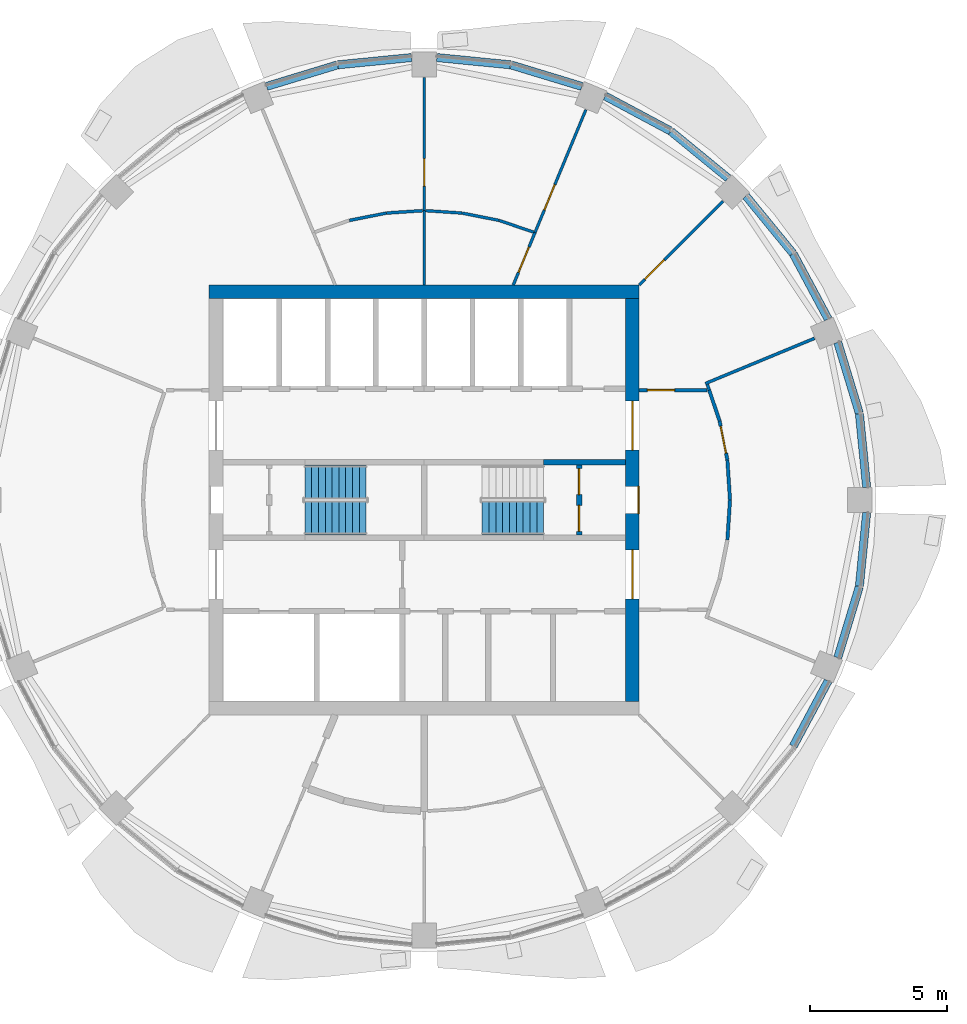
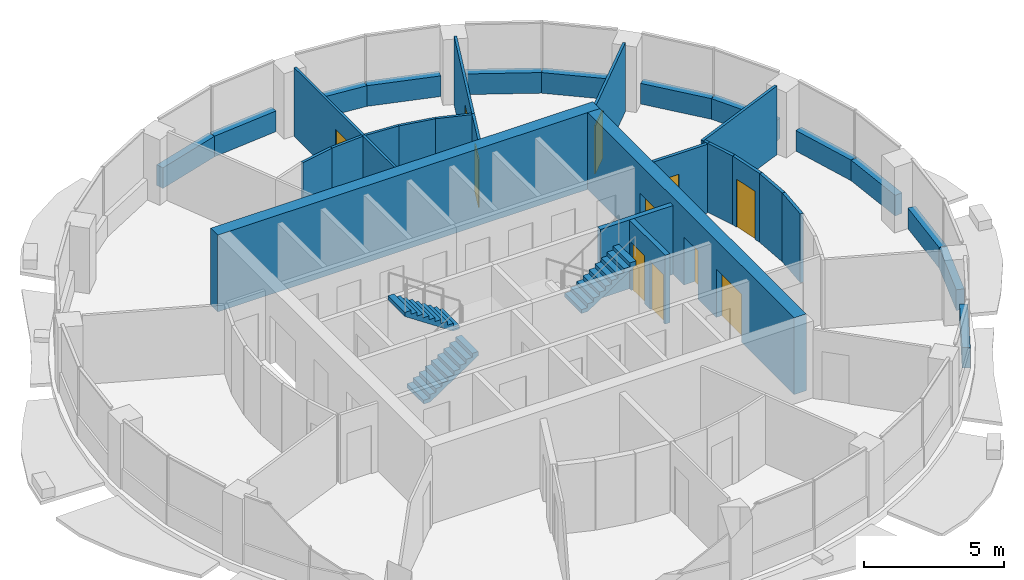
# One storey, part 10 of 15: 34 walls, 11 doors, 3 stair flights, 11 openings, 2 elements without a shape of their own.
"""IFC4 building model written with IfcOpenShell, lengths in metres."""

from ifc_helpers import new_model, si_unit, direction, frame, frame_2d, origin, place, context, subcontext, project, spatial, polyline, rectangle, outline, extrude, material, layer, layer_set, type_object, element, fill, aggregate, save


model = new_model("IFC4")

# Units and contexts
model_context = context("Model", 3, precision=1e-05, world=origin(), true_north=direction((0.0, 1.0)))
body_context = subcontext(model_context, "Body", "Model", "MODEL_VIEW")
ifc_project = project(units=[si_unit("LENGTHUNIT", "METRE"), si_unit("AREAUNIT", "SQUARE_METRE"), si_unit("VOLUMEUNIT", "CUBIC_METRE"), si_unit("PLANEANGLEUNIT", "RADIAN"), si_unit("MASSUNIT", "GRAM", prefix="KILO")], contexts=[model_context])

# Site, building, storey
site_placement = place(None, origin())
site = spatial("IfcSite", under=ifc_project, at=site_placement, CompositionType="ELEMENT")
building_placement = place(site_placement, origin())
building = spatial("IfcBuilding", under=site, at=building_placement, Name="Polderwave Tower", CompositionType="ELEMENT")
storey_placement = place(building_placement, frame((0.0, 0.0, 211.10009765625)))
storey = spatial("IfcBuildingStorey", under=building, at=storey_placement, Name="L57", CompositionType="ELEMENT", Elevation=211.10009765625)

# Wall
ifc_material_1 = material(Name="Concrete C60/75", Category="concrete")
ifc_layer_1 = layer(ifc_material_1, 0.5)
ifc_layer_set_1 = layer_set([ifc_layer_1], Name="CORE WALL 500 C60/75")
wall_type_1 = type_object("IfcWallType", Name="CORE WALL 500 C60/75", PredefinedType="SHEAR", material=ifc_layer_set_1)
wall_1_placement = place(storey_placement, frame((-7.8740234375, 7.6240234375, 0.0), z_axis=(0.0, 0.0, 1.0), x_axis=(1.0, 0.0, 0.0)))
element("IfcWall", 1, at=wall_1_placement, inside=storey, type_object=wall_type_1, Name="ST-CORE-L57-N", PredefinedType="SHEAR", context=body_context, shape_type="SweptSolid", body=[
    extrude(rectangle(XDim=15.748046875, YDim=0.5, at=frame_2d((7.8740234375, 0.0))), origin(), (0.0, 0.0, 1.0), 3.349853515625),
])

# Wall, openings, doors
wall_2_placement = place(storey_placement, frame((7.6240234375, -7.3740234375, 0.0), z_axis=(0.0, 0.0, 1.0), x_axis=(0.0, 1.0, 0.0)))
wall_2 = element("IfcWall", 2, at=wall_2_placement, inside=storey, type_object=wall_type_1, Name="ST-CORE-L57-E", PredefinedType="SHEAR", context=body_context, shape_type="SweptSolid", body=[
    extrude(rectangle(XDim=14.748046875, YDim=0.5, at=frame_2d((7.3740234375, 0.0))), origin(), (0.0, 0.0, 1.0), 3.349853515625),
])
opening_1_placement = place(wall_2_placement, frame((6.8740234375, 0.0, 0.0)))
opening_1 = element("IfcOpeningElement", 3, at=opening_1_placement, cuts=wall_2, Name="Opening L57-D23", PredefinedType="OPENING", context=body_context, shape_type="SweptSolid", body=[
    extrude(rectangle(XDim=1.0, YDim=2.10009765625, at=frame_2d((0.5, 1.050048828125))), frame((0.0, 0.260009765625, 0.0), z_axis=(0.0, -1.0, 0.0), x_axis=(1.0, 0.0, 0.0)), (0.0, 0.0, 1.0), 0.52001953125),
])
opening_2_placement = place(wall_2_placement, frame((3.74951171875, 0.0, 0.0)))
opening_2 = element("IfcOpeningElement", 4, at=opening_2_placement, cuts=wall_2, Name="Opening L57-D24", PredefinedType="OPENING", context=body_context, shape_type="SweptSolid", body=[
    extrude(rectangle(XDim=1.800048828125, YDim=2.10009765625, at=frame_2d((0.89990234375, 1.050048828125))), frame((0.0, 0.260009765625, 0.0), z_axis=(0.0, -1.0, 0.0), x_axis=(1.0, 0.0, 0.0)), (0.0, 0.0, 1.0), 0.52001953125),
])
opening_3_placement = place(wall_2_placement, frame((9.198486328125, 0.0, 0.0)))
opening_3 = element("IfcOpeningElement", 5, at=opening_3_placement, cuts=wall_2, Name="Opening L57-D25", PredefinedType="OPENING", context=body_context, shape_type="SweptSolid", body=[
    extrude(rectangle(XDim=1.800048828125, YDim=2.10009765625, at=frame_2d((0.89990234375, 1.050048828125))), frame((0.0, 0.260009765625, 0.0), z_axis=(0.0, -1.0, 0.0), x_axis=(1.0, 0.0, 0.0)), (0.0, 0.0, 1.0), 0.52001953125),
])
ifc_material_2 = material(Name="Steel fire door", Category="steel")
door_type_1 = type_object("IfcDoorType", Name="Lobby entry door pair 1800", OperationType="DOUBLE_DOOR_SINGLE_SWING", PredefinedType="DOOR", material=ifc_material_2)
door_1_placement = place(opening_2_placement, frame((1.800048828125, 0.0, 0.0), z_axis=(0.0, 0.0, 1.0), x_axis=(-1.0, 0.0, 0.0)))
door_1 = element("IfcDoor", 6, at=door_1_placement, inside=storey, type_object=door_type_1, Name="South lobby entry door", OperationType="DOUBLE_DOOR_SINGLE_SWING", OverallHeight=2.10009765625, OverallWidth=1.800048828125, PredefinedType="DOOR", context=body_context, shape_type="SweptSolid", body=[
    extrude(rectangle(XDim=1.800048828125, YDim=2.10009765625, at=frame_2d((0.89990234375, 1.050048828125))), frame((0.0, 0.02490234375, 0.0), z_axis=(0.0, -1.0, 0.0), x_axis=(1.0, 0.0, 0.0)), (0.0, 0.0, 1.0), 0.050048828125),
])
fill(opening_2, door_1)
door_2_placement = place(opening_3_placement, frame((1.800048828125, 0.0, 0.0), z_axis=(0.0, 0.0, 1.0), x_axis=(-1.0, 0.0, 0.0)))
door_2 = element("IfcDoor", 7, at=door_2_placement, inside=storey, type_object=door_type_1, Name="North lobby entry door", OperationType="DOUBLE_DOOR_SINGLE_SWING", OverallHeight=2.10009765625, OverallWidth=1.800048828125, PredefinedType="DOOR", context=body_context, shape_type="SweptSolid", body=[
    extrude(rectangle(XDim=1.800048828125, YDim=2.10009765625, at=frame_2d((0.89990234375, 1.050048828125))), frame((0.0, 0.02490234375, 0.0), z_axis=(0.0, -1.0, 0.0), x_axis=(1.0, 0.0, 0.0)), (0.0, 0.0, 1.0), 0.050048828125),
])
fill(opening_3, door_2)
door_type_2 = type_object("IfcDoorType", Name="Stair door 1000", OperationType="NOTDEFINED", PredefinedType="DOOR", material=ifc_material_2)
door_3_placement = place(opening_1_placement, frame((1.0, 0.0, 0.0), z_axis=(0.0, 0.0, 1.0), x_axis=(-1.0, 0.0, 0.0)))
door_3 = element("IfcDoor", 8, at=door_3_placement, inside=storey, type_object=door_type_2, Name="Stair B entry door", OperationType="SINGLE_SWING_LEFT", OverallHeight=2.10009765625, OverallWidth=1.0, PredefinedType="DOOR", context=body_context, shape_type="SweptSolid", body=[
    extrude(rectangle(XDim=1.0, YDim=2.10009765625, at=frame_2d((0.5, 1.050048828125))), frame((0.0, 0.25, 0.0), z_axis=(0.0, -1.0, 0.0), x_axis=(1.0, 0.0, 0.0)), (0.0, 0.0, 1.0), 0.050048828125),
])
fill(opening_1, door_3)

# Walls
ifc_material_3 = material(Name="Concrete C50/60 (board-marked)", Category="concrete")
ifc_layer_2 = layer(ifc_material_3, 0.300048828125)
ifc_layer_set_2 = layer_set([ifc_layer_2], Name="Concrete spandrel upstand C50/60")
wall_type_2 = type_object("IfcWallType", Name="Concrete spandrel upstand C50/60", PredefinedType="SOLIDWALL", material=ifc_layer_set_2)
wall_3_placement = place(storey_placement, frame((16.20458984375, 0.4638671875, 0.0), z_axis=(0.0, 0.0, 1.0), x_axis=(-0.098046581117, 0.995181826568, 0.0)))
element("IfcWall", 9, at=wall_3_placement, inside=storey, type_object=wall_type_2, Name="Spandrel L57 1a", PredefinedType="SOLIDWALL", context=body_context, shape_type="SweptSolid", body=[
    extrude(rectangle(XDim=2.7041015625, YDim=0.300048828125, at=frame_2d((1.35205078125, 0.0))), origin(), (0.0, 0.0, 1.0), 0.89990234375),
])
wall_4_placement = place(storey_placement, frame((15.93359375, 3.184326171875, 0.0), z_axis=(0.0, 0.0, 1.0), x_axis=(-0.290608505958, 0.956842043529, 0.0)))
element("IfcWall", 10, at=wall_4_placement, inside=storey, type_object=wall_type_2, Name="Spandrel L57 1b", PredefinedType="SOLIDWALL", context=body_context, shape_type="SweptSolid", body=[
    extrude(rectangle(XDim=2.705078125, YDim=0.300048828125, at=frame_2d((1.3525390625, 0.0))), origin(), (0.0, 0.0, 1.0), 0.89990234375),
])
for number, where, z_axis, x_axis, name in (
    (11, (14.79296875, 6.630126953125, 0.0), (0.0, 0.0, 1.0), (-0.471459599189, 0.881887660835, 0.0), "Spandrel L57 2a"),
    (12, (13.50146484375, 9.03955078125, 0.0), (0.0, 0.0, 1.0), (-0.634161642253, 0.773200498897, 0.0), "Spandrel L57 2b"),
    (13, (11.13037109375, 11.78662109375, 0.0), (0.0, 0.0, 1.0), (-0.773200498897, 0.634161642253, 0.0), "Spandrel L57 3a"),
    (14, (9.014892578125, 13.51806640625, 0.0), (0.0, 0.0, 1.0), (-0.881887660835, 0.471459599189, 0.0), "Spandrel L57 3b"),
):
    element("IfcWall", number, at=place(storey_placement, frame(where, z_axis=z_axis, x_axis=x_axis)), inside=storey, type_object=wall_type_2, Name=name, PredefinedType="SOLIDWALL", context=body_context, shape_type="SweptSolid", body=[
        extrude(rectangle(XDim=2.7041015625, YDim=0.300048828125, at=frame_2d((1.35205078125, 0.0))), origin(), (0.0, 0.0, 1.0), 0.89990234375),
    ])
wall_5_placement = place(storey_placement, frame((5.772705078125, 15.1474609375, 0.0), z_axis=(0.0, 0.0, 1.0), x_axis=(-0.956842043529, 0.290608505958, 0.0)))
element("IfcWall", 15, at=wall_5_placement, inside=storey, type_object=wall_type_2, Name="Spandrel L57 4a", PredefinedType="SOLIDWALL", context=body_context, shape_type="SweptSolid", body=[
    extrude(rectangle(XDim=2.705078125, YDim=0.300048828125, at=frame_2d((1.3525390625, 0.0))), origin(), (0.0, 0.0, 1.0), 0.89990234375),
])
for number, where, z_axis, x_axis, name in (
    (16, (3.155029296875, 15.939453125, 0.0), (0.0, 0.0, 1.0), (-0.995181826568, 0.098046581117, 0.0), "Spandrel L57 4b"),
    (17, (-0.4638671875, 16.20458984375, 0.0), (0.0, 0.0, 1.0), (-0.995181826568, -0.098046581117, 0.0), "Spandrel L57 5a"),
):
    element("IfcWall", number, at=place(storey_placement, frame(where, z_axis=z_axis, x_axis=x_axis)), inside=storey, type_object=wall_type_2, Name=name, PredefinedType="SOLIDWALL", context=body_context, shape_type="SweptSolid", body=[
        extrude(rectangle(XDim=2.7041015625, YDim=0.300048828125, at=frame_2d((1.35205078125, 0.0))), origin(), (0.0, 0.0, 1.0), 0.89990234375),
    ])
wall_6_placement = place(storey_placement, frame((-3.184326171875, 15.93359375, 0.0), z_axis=(0.0, 0.0, 1.0), x_axis=(-0.956842043529, -0.290608505958, 0.0)))
element("IfcWall", 18, at=wall_6_placement, inside=storey, type_object=wall_type_2, Name="Spandrel L57 5b", PredefinedType="SOLIDWALL", context=body_context, shape_type="SweptSolid", body=[
    extrude(rectangle(XDim=2.705078125, YDim=0.300048828125, at=frame_2d((1.3525390625, 0.0))), origin(), (0.0, 0.0, 1.0), 0.89990234375),
])
wall_7_placement = place(storey_placement, frame((13.51806640625, -9.014892578125, 0.0), z_axis=(0.0, 0.0, 1.0), x_axis=(0.471459599189, 0.881887660835, 0.0)))
element("IfcWall", 19, at=wall_7_placement, inside=storey, type_object=wall_type_2, Name="Spandrel L57 15b", PredefinedType="SOLIDWALL", context=body_context, shape_type="SweptSolid", body=[
    extrude(rectangle(XDim=2.7041015625, YDim=0.300048828125, at=frame_2d((1.35205078125, 0.0))), origin(), (0.0, 0.0, 1.0), 0.89990234375),
])
wall_8_placement = place(storey_placement, frame((15.1474609375, -5.772705078125, 0.0), z_axis=(0.0, 0.0, 1.0), x_axis=(0.290608505958, 0.956842043529, 0.0)))
element("IfcWall", 20, at=wall_8_placement, inside=storey, type_object=wall_type_2, Name="Spandrel L57 16a", PredefinedType="SOLIDWALL", context=body_context, shape_type="SweptSolid", body=[
    extrude(rectangle(XDim=2.705078125, YDim=0.300048828125, at=frame_2d((1.3525390625, 0.0))), origin(), (0.0, 0.0, 1.0), 0.89990234375),
])
wall_9_placement = place(storey_placement, frame((15.939453125, -3.155029296875, 0.0), z_axis=(0.0, 0.0, 1.0), x_axis=(0.098046581117, 0.995181826568, 0.0)))
element("IfcWall", 21, at=wall_9_placement, inside=storey, type_object=wall_type_2, Name="Spandrel L57 16b", PredefinedType="SOLIDWALL", context=body_context, shape_type="SweptSolid", body=[
    extrude(rectangle(XDim=2.7041015625, YDim=0.300048828125, at=frame_2d((1.35205078125, 0.0))), origin(), (0.0, 0.0, 1.0), 0.89990234375),
])

# Wall, openings, doors
ifc_material_4 = material(Name="Gypsum board partition")
ifc_layer_3 = layer(ifc_material_4, 0.199951171875)
ifc_layer_set_3 = layer_set([ifc_layer_3], Name="Core room partition 200")
wall_type_3 = type_object("IfcWallType", Name="Core room partition 200", PredefinedType="PARTITIONING", material=ifc_layer_set_3)
wall_10_placement = place(storey_placement, frame((5.674072265625, -1.27490234375, 0.0), z_axis=(0.0, 0.0, 1.0), x_axis=(0.0, 1.0, 0.0)))
wall_10 = element("IfcWall", 22, at=wall_10_placement, inside=storey, type_object=wall_type_3, Name="L57 smoke lobby wall B", PredefinedType="PARTITIONING", context=body_context, shape_type="SweptSolid", body=[
    extrude(rectangle(XDim=2.5498046875, YDim=0.199951171875, at=frame_2d((1.27490234375, 0.0))), origin(), (0.0, 0.0, 1.0), 3.0),
])
opening_4_placement = place(wall_10_placement, frame((0.125, 0.0, 0.0)))
opening_4 = element("IfcOpeningElement", 23, at=opening_4_placement, cuts=wall_10, Name="Opening L57-D12", PredefinedType="OPENING", context=body_context, shape_type="SweptSolid", body=[
    extrude(rectangle(XDim=0.949951171875, YDim=2.10009765625, at=frame_2d((0.47509765625, 1.050048828125))), frame((0.0, 0.10986328125, 0.0), z_axis=(0.0, -1.0, 0.0), x_axis=(1.0, 0.0, 0.0)), (0.0, 0.0, 1.0), 0.219970703125),
])
opening_5_placement = place(wall_10_placement, frame((1.47509765625, 0.0, 0.0)))
opening_5 = element("IfcOpeningElement", 24, at=opening_5_placement, cuts=wall_10, Name="Opening L57-D13", PredefinedType="OPENING", context=body_context, shape_type="SweptSolid", body=[
    extrude(rectangle(XDim=0.949951171875, YDim=2.10009765625, at=frame_2d((0.47509765625, 1.050048828125))), frame((0.0, 0.10986328125, 0.0), z_axis=(0.0, -1.0, 0.0), x_axis=(1.0, 0.0, 0.0)), (0.0, 0.0, 1.0), 0.219970703125),
])
door_type_3 = type_object("IfcDoorType", Name="Smoke lobby door 950", OperationType="NOTDEFINED", PredefinedType="DOOR", material=ifc_material_2)
door_4_placement = place(opening_4_placement, frame((0.949951171875, 0.0, 0.0), z_axis=(0.0, 0.0, 1.0), x_axis=(-1.0, 0.0, 0.0)))
door_4 = element("IfcDoor", 25, at=door_4_placement, inside=storey, type_object=door_type_3, Name="Stair B smoke lobby inner door", OperationType="SINGLE_SWING_RIGHT", OverallHeight=2.10009765625, OverallWidth=0.949951171875, PredefinedType="DOOR", context=body_context, shape_type="SweptSolid", body=[
    extrude(rectangle(XDim=0.949951171875, YDim=2.10009765625, at=frame_2d((0.47509765625, 1.050048828125))), frame((0.0, 0.02490234375, 0.0), z_axis=(0.0, -1.0, 0.0), x_axis=(1.0, 0.0, 0.0)), (0.0, 0.0, 1.0), 0.050048828125),
])
fill(opening_4, door_4)
door_5_placement = place(opening_5_placement, frame((0.949951171875, 0.0, 0.0), z_axis=(0.0, 0.0, 1.0), x_axis=(-1.0, 0.0, 0.0)))
door_5 = element("IfcDoor", 26, at=door_5_placement, inside=storey, type_object=door_type_3, Name="Stair B smoke lobby inner door", OperationType="SINGLE_SWING_LEFT", OverallHeight=2.10009765625, OverallWidth=0.949951171875, PredefinedType="DOOR", context=body_context, shape_type="SweptSolid", body=[
    extrude(rectangle(XDim=0.949951171875, YDim=2.10009765625, at=frame_2d((0.47509765625, 1.050048828125))), frame((0.0, 0.02490234375, 0.0), z_axis=(0.0, -1.0, 0.0), x_axis=(1.0, 0.0, 0.0)), (0.0, 0.0, 1.0), 0.050048828125),
])
fill(opening_5, door_5)

# Walls
ifc_material_5 = material(Name="Concrete C50/60", Category="concrete")
ifc_layer_4 = layer(ifc_material_5, 0.199951171875)
ifc_layer_set_4 = layer_set([ifc_layer_4], Name="Core web wall 200")
wall_type_4 = type_object("IfcWallType", Name="Core web wall 200", PredefinedType="SHEAR", material=ifc_layer_set_4)
wall_11_placement = place(storey_placement, frame((4.3740234375, 1.375, 0.0), z_axis=(0.0, 0.0, 1.0), x_axis=(1.0, 0.0, 0.0)))
element("IfcWall", 27, at=wall_11_placement, inside=storey, type_object=wall_type_4, Name="L57 north stair wall 4", PredefinedType="SHEAR", context=body_context, shape_type="SweptSolid", body=[
    extrude(rectangle(XDim=3.0, YDim=0.199951171875, at=frame_2d((1.5, 0.0))), origin(), (0.0, 0.0, 1.0), 3.0),
])
ifc_material_6 = material(Name="Fire-resisting board on steel studs", Category="steel")
ifc_layer_5 = layer(ifc_material_6, 0.125)
ifc_layer_set_5 = layer_set([ifc_layer_5], Name="Corridor wall 125 mm EI 60")
wall_type_5 = type_object("IfcWallType", Name="Corridor wall 125 mm EI 60", PredefinedType="PARTITIONING", material=ifc_layer_set_5)
wall_12_placement = place(storey_placement, frame((10.436279296875, 4.0244140625, 0.0), z_axis=(0.0, 0.0, 1.0), x_axis=(0.321477840896, -0.94691710187, 0.0)))
element("IfcWall", 28, at=wall_12_placement, inside=storey, type_object=wall_type_5, Name="IN-L57-W001", PredefinedType="PARTITIONING", context=body_context, shape_type="SweptSolid", body=[
    extrude(rectangle(XDim=1.184814453125, YDim=0.125, at=frame_2d((0.59228515625, 0.0))), origin(), (0.0, 0.0, 1.0), 3.0),
])

# Wall, opening, door
wall_13_placement = place(storey_placement, frame((10.819091796875, 2.894775390625, 0.0), z_axis=(0.0, 0.0, 1.0), x_axis=(0.19521377649, -0.980760715704, 0.0)))
wall_13 = element("IfcWall", 29, at=wall_13_placement, inside=storey, type_object=wall_type_5, Name="IN-L57-W003", PredefinedType="PARTITIONING", context=body_context, shape_type="SweptSolid", body=[
    extrude(rectangle(XDim=1.45703125, YDim=0.125, at=frame_2d((0.728515625, 0.0))), origin(), (0.0, 0.0, 1.0), 3.0),
])
opening_6_placement = place(wall_13_placement, frame((0.199951171875, 0.0, 0.0)))
opening_6 = element("IfcOpeningElement", 30, at=opening_6_placement, cuts=wall_13, Name="Opening L57-D50", PredefinedType="OPENING", context=body_context, shape_type="SweptSolid", body=[
    extrude(rectangle(XDim=1.0, YDim=2.10009765625, at=frame_2d((0.5, 1.050048828125))), frame((0.0, 0.072509765625, 0.0), z_axis=(0.0, -1.0, 0.0), x_axis=(1.0, 0.0, 0.0)), (0.0, 0.0, 1.0), 0.14501953125),
])
ifc_material_7 = material(Name="Timber fire door leaf", Category="wood")
door_type_4 = type_object("IfcDoorType", Name="Fire door FD30S 1000 x 2100", OperationType="NOTDEFINED", PredefinedType="DOOR", material=ifc_material_7)
door_6_placement = place(opening_6_placement, origin())
door_6 = element("IfcDoor", 31, at=door_6_placement, inside=storey, type_object=door_type_4, Name="Door L57-D50", OperationType="SINGLE_SWING_LEFT", OverallHeight=2.10009765625, OverallWidth=1.0, PredefinedType="DOOR", context=body_context, shape_type="SweptSolid", body=[
    extrude(rectangle(XDim=1.0, YDim=2.10009765625, at=frame_2d((0.5, 1.050048828125))), frame((0.0, 0.02490234375, 0.0), z_axis=(0.0, -1.0, 0.0), x_axis=(1.0, 0.0, 0.0)), (0.0, 0.0, 1.0), 0.050048828125),
])
fill(opening_6, door_6)

# Walls
for number, where, z_axis, x_axis, name in (
    (32, (11.1044921875, 1.457763671875, 0.0), (0.0, 0.0, 1.0), (0.065362114235, -0.997861610657, 0.0), "IN-L57-W005"),
    (33, (11.19970703125, -0.004150390625, 0.0), (0.0, 0.0, 1.0), (-0.065362114235, -0.997861610657, 0.0), "IN-L57-W006"),
):
    element("IfcWall", number, at=place(storey_placement, frame(where, z_axis=z_axis, x_axis=x_axis)), inside=storey, type_object=wall_type_5, Name=name, PredefinedType="PARTITIONING", context=body_context, shape_type="SweptSolid", body=[
        extrude(rectangle(XDim=1.456787109375, YDim=0.125, at=frame_2d((0.728515625, 0.0))), origin(), (0.0, 0.0, 1.0), 3.0),
    ])

# Wall, opening, door
wall_14_placement = place(storey_placement, frame((7.8740234375, 4.0244140625, 0.0), z_axis=(0.0, 0.0, 1.0), x_axis=(1.0, 0.0, 0.0)))
wall_14 = element("IfcWall", 34, at=wall_14_placement, inside=storey, type_object=wall_type_5, Name="IN-L57-W007", PredefinedType="PARTITIONING", context=body_context, shape_type="SweptSolid", body=[
    extrude(rectangle(XDim=2.47509765625, YDim=0.125, at=frame_2d((1.237548828125, 0.0))), origin(), (0.0, 0.0, 1.0), 3.0),
])
opening_7_placement = place(wall_14_placement, frame((0.300048828125, 0.0, 0.0)))
opening_7 = element("IfcOpeningElement", 35, at=opening_7_placement, cuts=wall_14, Name="Opening L57-D51", PredefinedType="OPENING", context=body_context, shape_type="SweptSolid", body=[
    extrude(rectangle(XDim=1.0, YDim=2.10009765625, at=frame_2d((0.5, 1.050048828125))), frame((0.0, 0.072509765625, 0.0), z_axis=(0.0, -1.0, 0.0), x_axis=(1.0, 0.0, 0.0)), (0.0, 0.0, 1.0), 0.14501953125),
])
door_7_placement = place(opening_7_placement, origin())
door_7 = element("IfcDoor", 36, at=door_7_placement, inside=storey, type_object=door_type_4, Name="Door L57-D51", OperationType="SINGLE_SWING_LEFT", OverallHeight=2.10009765625, OverallWidth=1.0, PredefinedType="DOOR", context=body_context, shape_type="SweptSolid", body=[
    extrude(rectangle(XDim=1.0, YDim=2.10009765625, at=frame_2d((0.5, 1.050048828125))), frame((0.0, 0.02490234375, 0.0), z_axis=(0.0, -1.0, 0.0), x_axis=(1.0, 0.0, 0.0)), (0.0, 0.0, 1.0), 0.050048828125),
])
fill(opening_7, door_7)

ifc_material_8 = material(Name="Plasterboard on steel studs", Category="steel")
ifc_layer_6 = layer(ifc_material_8, 0.10009765625)
ifc_layer_set_6 = layer_set([ifc_layer_6], Name="Partition 100 mm plasterboard on steel studs")
wall_type_6 = type_object("IfcWallType", Name="Partition 100 mm plasterboard on steel studs", PredefinedType="PARTITIONING", material=ifc_layer_set_6)
wall_15_placement = place(storey_placement, frame((7.8740234375, 7.8740234375, 0.0), z_axis=(0.0, 0.0, 1.0), x_axis=(0.707106781187, 0.707106781187, 0.0)))
wall_15 = element("IfcWall", 37, at=wall_15_placement, inside=storey, type_object=wall_type_6, Name="IN-L57-W021", PredefinedType="PARTITIONING", context=body_context, shape_type="SweptSolid", body=[
    extrude(rectangle(XDim=4.33447265625, YDim=0.10009765625, at=frame_2d((2.167236328125, 0.0))), origin(), (0.0, 0.0, 1.0), 3.0),
])
opening_8_placement = place(wall_15_placement, frame((0.300048828125, 0.0, 0.0)))
opening_8 = element("IfcOpeningElement", 38, at=opening_8_placement, cuts=wall_15, Name="Opening L57-D56", PredefinedType="OPENING", context=body_context, shape_type="SweptSolid", body=[
    extrude(rectangle(XDim=1.0, YDim=2.10009765625, at=frame_2d((0.5, 1.050048828125))), frame((0.0, 0.06005859375, 0.0), z_axis=(0.0, -1.0, 0.0), x_axis=(1.0, 0.0, 0.0)), (0.0, 0.0, 1.0), 0.1201171875),
])
ifc_material_9 = material(Name="Timber veneer door leaf", Category="wood")
door_type_5 = type_object("IfcDoorType", Name="Single door 1000 x 2100", OperationType="NOTDEFINED", PredefinedType="DOOR", material=ifc_material_9)
door_8_placement = place(opening_8_placement, origin())
door_8 = element("IfcDoor", 39, at=door_8_placement, inside=storey, type_object=door_type_5, Name="Door L57-D56", OperationType="SINGLE_SWING_LEFT", OverallHeight=2.10009765625, OverallWidth=1.0, PredefinedType="DOOR", context=body_context, shape_type="SweptSolid", body=[
    extrude(rectangle(XDim=1.0, YDim=2.10009765625, at=frame_2d((0.5, 1.050048828125))), frame((0.0, 0.02490234375, 0.0), z_axis=(0.0, -1.0, 0.0), x_axis=(1.0, 0.0, 0.0)), (0.0, 0.0, 1.0), 0.050048828125),
])
fill(opening_8, door_8)

wall_16_placement = place(storey_placement, frame((4.056396484375, 9.793212890625, 0.0), z_axis=(0.0, 0.0, 1.0), x_axis=(0.3827030411, 0.923871410064, 0.0)))
wall_16 = element("IfcWall", 40, at=wall_16_placement, inside=storey, type_object=wall_type_6, Name="IN-L57-W023", PredefinedType="PARTITIONING", context=body_context, shape_type="SweptSolid", body=[
    extrude(rectangle(XDim=4.8701171875, YDim=0.10009765625, at=frame_2d((2.43505859375, 0.0))), origin(), (0.0, 0.0, 1.0), 3.0),
])
opening_9_placement = place(wall_16_placement, frame((0.89990234375, 0.0, 0.0)))
opening_9 = element("IfcOpeningElement", 41, at=opening_9_placement, cuts=wall_16, Name="Opening L57-D58", PredefinedType="OPENING", context=body_context, shape_type="SweptSolid", body=[
    extrude(rectangle(XDim=1.0, YDim=2.10009765625, at=frame_2d((0.5, 1.050048828125))), frame((0.0, 0.06005859375, 0.0), z_axis=(0.0, -1.0, 0.0), x_axis=(1.0, 0.0, 0.0)), (0.0, 0.0, 1.0), 0.1201171875),
])
door_9_placement = place(opening_9_placement, origin())
door_9 = element("IfcDoor", 42, at=door_9_placement, inside=storey, type_object=door_type_5, Name="Door L57-D58", OperationType="SINGLE_SWING_LEFT", OverallHeight=2.10009765625, OverallWidth=1.0, PredefinedType="DOOR", context=body_context, shape_type="SweptSolid", body=[
    extrude(rectangle(XDim=1.0, YDim=2.10009765625, at=frame_2d((0.5, 1.050048828125))), frame((0.0, 0.02490234375, 0.0), z_axis=(0.0, -1.0, 0.0), x_axis=(1.0, 0.0, 0.0)), (0.0, 0.0, 1.0), 0.050048828125),
])
fill(opening_9, door_9)

wall_17_placement = place(storey_placement, frame((0.0, 10.60009765625, 0.0), z_axis=(0.0, 0.0, 1.0), x_axis=(0.0, 1.0, 0.0)))
wall_17 = element("IfcWall", 43, at=wall_17_placement, inside=storey, type_object=wall_type_6, Name="IN-L57-W028", PredefinedType="PARTITIONING", context=body_context, shape_type="SweptSolid", body=[
    extrude(rectangle(XDim=4.869873046875, YDim=0.10009765625, at=frame_2d((2.43505859375, 0.0))), origin(), (0.0, 0.0, 1.0), 3.0),
])
opening_10_placement = place(wall_17_placement, frame((0.89990234375, 0.0, 0.0)))
opening_10 = element("IfcOpeningElement", 44, at=opening_10_placement, cuts=wall_17, Name="Opening L57-D59", PredefinedType="OPENING", context=body_context, shape_type="SweptSolid", body=[
    extrude(rectangle(XDim=1.0, YDim=2.10009765625, at=frame_2d((0.5, 1.050048828125))), frame((0.0, 0.06005859375, 0.0), z_axis=(0.0, -1.0, 0.0), x_axis=(1.0, 0.0, 0.0)), (0.0, 0.0, 1.0), 0.1201171875),
])
door_10_placement = place(opening_10_placement, origin())
door_10 = element("IfcDoor", 45, at=door_10_placement, inside=storey, type_object=door_type_5, Name="Door L57-D59", OperationType="SINGLE_SWING_LEFT", OverallHeight=2.10009765625, OverallWidth=1.0, PredefinedType="DOOR", context=body_context, shape_type="SweptSolid", body=[
    extrude(rectangle(XDim=1.0, YDim=2.10009765625, at=frame_2d((0.5, 1.050048828125))), frame((0.0, 0.02490234375, 0.0), z_axis=(0.0, -1.0, 0.0), x_axis=(1.0, 0.0, 0.0)), (0.0, 0.0, 1.0), 0.050048828125),
])
fill(opening_10, door_10)

ifc_material_10 = material(Name="Moisture-resistant board on steel studs, tiled", Category="steel")
ifc_layer_7 = layer(ifc_material_10, 0.10498046875)
ifc_layer_set_7 = layer_set([ifc_layer_7], Name="Partition 105 mm wet room board and tile")
wall_type_7 = type_object("IfcWallType", Name="Partition 105 mm wet room board and tile", PredefinedType="PARTITIONING", material=ifc_layer_set_7)
wall_18_placement = place(storey_placement, frame((3.261474609375, 7.8740234375, 0.0), z_axis=(0.0, 0.0, 1.0), x_axis=(0.382670108955, 0.923885051136, 0.0)))
wall_18 = element("IfcWall", 46, at=wall_18_placement, inside=storey, type_object=wall_type_7, Name="IN-L57-W022", PredefinedType="PARTITIONING", context=body_context, shape_type="SweptSolid", body=[
    extrude(rectangle(XDim=2.077392578125, YDim=0.10498046875, at=frame_2d((1.03857421875, 0.0))), origin(), (0.0, 0.0, 1.0), 3.0),
])
opening_11_placement = place(wall_18_placement, frame((0.5, 0.0, 0.0)))
opening_11 = element("IfcOpeningElement", 47, at=opening_11_placement, cuts=wall_18, Name="Opening L57-D57", PredefinedType="OPENING", context=body_context, shape_type="SweptSolid", body=[
    extrude(rectangle(XDim=1.0, YDim=2.10009765625, at=frame_2d((0.5, 1.050048828125))), frame((0.0, 0.0625, 0.0), z_axis=(0.0, -1.0, 0.0), x_axis=(1.0, 0.0, 0.0)), (0.0, 0.0, 1.0), 0.125),
])
door_11_placement = place(opening_11_placement, origin())
door_11 = element("IfcDoor", 48, at=door_11_placement, inside=storey, type_object=door_type_5, Name="Door L57-D57", OperationType="SINGLE_SWING_LEFT", OverallHeight=2.10009765625, OverallWidth=1.0, PredefinedType="DOOR", context=body_context, shape_type="SweptSolid", body=[
    extrude(rectangle(XDim=1.0, YDim=2.10009765625, at=frame_2d((0.5, 1.050048828125))), frame((0.0, 0.02490234375, 0.0), z_axis=(0.0, -1.0, 0.0), x_axis=(1.0, 0.0, 0.0)), (0.0, 0.0, 1.0), 0.050048828125),
])
fill(opening_11, door_11)

# Walls
wall_19_placement = place(storey_placement, frame((0.055908203125, 10.59619140625, 0.0), z_axis=(0.0, 0.0, 1.0), x_axis=(0.997865015159, -0.065310118064, 0.0)))
element("IfcWall", 49, at=wall_19_placement, inside=storey, type_object=wall_type_7, Name="IN-L57-W024", PredefinedType="PARTITIONING", context=body_context, shape_type="SweptSolid", body=[
    extrude(rectangle(XDim=1.3271484375, YDim=0.10498046875, at=frame_2d((0.66357421875, 0.0))), origin(), (0.0, 0.0, 1.0), 3.0),
])
wall_20_placement = place(storey_placement, frame((1.386962890625, 10.508544921875, 0.0), z_axis=(0.0, 0.0, 1.0), x_axis=(0.980797886825, -0.195026934551, 0.0)))
element("IfcWall", 50, at=wall_20_placement, inside=storey, type_object=wall_type_7, Name="IN-L57-W025", PredefinedType="PARTITIONING", context=body_context, shape_type="SweptSolid", body=[
    extrude(rectangle(XDim=1.379638671875, YDim=0.10498046875, at=frame_2d((0.68994140625, 0.0))), origin(), (0.0, 0.0, 1.0), 3.0),
])
wall_21_placement = place(storey_placement, frame((2.746826171875, 10.23779296875, 0.0), z_axis=(0.0, 0.0, 1.0), x_axis=(0.946883702601, -0.321576202088, 0.0)))
element("IfcWall", 51, at=wall_21_placement, inside=storey, type_object=wall_type_7, Name="IN-L57-W026", PredefinedType="PARTITIONING", context=body_context, shape_type="SweptSolid", body=[
    extrude(rectangle(XDim=1.3271484375, YDim=0.10498046875, at=frame_2d((0.66357421875, 0.0))), origin(), (0.0, 0.0, 1.0), 3.0),
])
wall_22_placement = place(storey_placement, frame((0.0, 7.8740234375, 0.0), z_axis=(0.0, 0.0, 1.0), x_axis=(0.0, 1.0, 0.0)))
element("IfcWall", 52, at=wall_22_placement, inside=storey, type_object=wall_type_7, Name="IN-L57-W027", PredefinedType="PARTITIONING", context=body_context, shape_type="SweptSolid", body=[
    extrude(rectangle(XDim=2.72607421875, YDim=0.10498046875, at=frame_2d((1.363037109375, 0.0))), origin(), (0.0, 0.0, 1.0), 3.0),
])
ifc_material_11 = material(Name="Acoustic double plasterboard on steel studs", Category="steel")
ifc_layer_8 = layer(ifc_material_11, 0.110107421875)
ifc_layer_set_8 = layer_set([ifc_layer_8], Name="Partition 110 mm acoustic double board")
wall_type_8 = type_object("IfcWallType", Name="Partition 110 mm acoustic double board", PredefinedType="PARTITIONING", material=ifc_layer_set_8)
wall_23_placement = place(storey_placement, frame((10.296630859375, 4.26513671875, 0.0), z_axis=(0.0, 0.0, 1.0), x_axis=(0.923888181348, 0.382662551559, 0.0)))
element("IfcWall", 53, at=wall_23_placement, inside=storey, type_object=wall_type_8, Name="IN-L57-W017", PredefinedType="PARTITIONING", context=body_context, shape_type="SweptSolid", body=[
    extrude(rectangle(XDim=4.324951171875, YDim=0.110107421875, at=frame_2d((2.16259765625, 0.0))), origin(), (0.0, 0.0, 1.0), 3.0),
])
wall_24_placement = place(storey_placement, frame((10.436279296875, 4.0244140625, 0.0), z_axis=(0.0, 0.0, 1.0), x_axis=(-0.320936923291, 0.947100570831, 0.0)))
element("IfcWall", 54, at=wall_24_placement, inside=storey, type_object=wall_type_8, Name="IN-L57-W018", PredefinedType="PARTITIONING", context=body_context, shape_type="SweptSolid", body=[
    extrude(rectangle(XDim=0.217529296875, YDim=0.110107421875, at=frame_2d((0.10888671875, 0.0))), origin(), (0.0, 0.0, 1.0), 3.0),
])
wall_25_placement = place(storey_placement, frame((-2.739990234375, 10.239501953125, 0.0), z_axis=(0.0, 0.0, 1.0), x_axis=(0.980791153721, 0.195060792529, 0.0)))
element("IfcWall", 55, at=wall_25_placement, inside=storey, type_object=wall_type_8, Name="IN-L57-W030", PredefinedType="PARTITIONING", context=body_context, shape_type="SweptSolid", body=[
    extrude(rectangle(XDim=1.37939453125, YDim=0.110107421875, at=frame_2d((0.689697265625, 0.0))), origin(), (0.0, 0.0, 1.0), 3.0),
])
wall_26_placement = place(storey_placement, frame((-1.3798828125, 10.509521484375, 0.0), z_axis=(0.0, 0.0, 1.0), x_axis=(0.99786344486, 0.065334106036, 0.0)))
element("IfcWall", 56, at=wall_26_placement, inside=storey, type_object=wall_type_8, Name="IN-L57-W031", PredefinedType="PARTITIONING", context=body_context, shape_type="SweptSolid", body=[
    extrude(rectangle(XDim=1.32666015625, YDim=0.110107421875, at=frame_2d((0.663330078125, 0.0))), origin(), (0.0, 0.0, 1.0), 3.0),
])

# Stair, stair flights
ifc_material_12 = material(Name="Concrete C40/50", Category="concrete")
stair_type = type_object("IfcStairType", Name="Exit stair 1200 x 20 risers", PredefinedType="HALF_TURN_STAIR", material=ifc_material_12)
stair_1_placement = place(storey_placement, origin())
stair_1 = element("IfcStair", 57, at=stair_1_placement, inside=storey, type_object=stair_type, Name="L57 Exit stair A", PredefinedType="HALF_TURN_STAIR")
stair_flight_type = type_object("IfcStairFlightType", Name="Stair flight 1200", PredefinedType="STRAIGHT", material=ifc_material_12)
stair_flight_1_placement = place(storey_placement, frame((-4.3740234375, -0.675048828125, 0.0), z_axis=(0.0, 0.0, 1.0), x_axis=(1.0, 0.0, 0.0)))
stair_flight_1 = element("IfcStairFlight", 58, at=stair_flight_1_placement, type_object=stair_flight_type, Name="ST-A flight 1", NumberOfRisers=10, NumberOfTreads=9, PredefinedType="STRAIGHT", RiserHeight=0.1675, TreadLength=0.25, context=body_context, shape_type="SweptSolid", body=[
    extrude(outline(polyline([(0.0, 0.0), (0.0, 0.16748046875), (0.25, 0.16748046875), (0.25, 0.3349609375), (0.5, 0.3349609375), (0.5, 0.50244140625), (0.75, 0.50244140625), (0.75, 0.669921875), (1.0, 0.669921875), (1.0, 0.83740234375), (1.25, 0.83740234375), (1.25, 1.0048828125), (1.5, 1.0048828125), (1.5, 1.172607421875), (1.75, 1.172607421875), (1.75, 1.340087890625), (2.0, 1.340087890625), (2.0, 1.507568359375), (2.25, 1.507568359375), (2.25, 1.675048828125), (2.25, 1.3271484375), (0.269287109375, 0.0), (0.0, 0.0)])), frame((0.0, 0.60009765625, 0.0), z_axis=(0.0, -1.0, 0.0), x_axis=(1.0, 0.0, 0.0)), (0.0, 0.0, 1.0), 1.199951171875),
])
stair_flight_2_placement = place(storey_placement, frame((-2.1240234375, 0.675048828125, 1.6748046875), z_axis=(0.0, 0.0, 1.0), x_axis=(-1.0, 0.0, 0.0)))
stair_flight_2 = element("IfcStairFlight", 59, at=stair_flight_2_placement, type_object=stair_flight_type, Name="ST-A flight 2", NumberOfRisers=10, NumberOfTreads=9, PredefinedType="STRAIGHT", RiserHeight=0.1675, TreadLength=0.25, context=body_context, shape_type="SweptSolid", body=[
    extrude(outline(polyline([(0.0, 0.0), (0.0, 0.16748046875), (0.25, 0.16748046875), (0.25, 0.3349609375), (0.5, 0.3349609375), (0.5, 0.50244140625), (0.75, 0.50244140625), (0.75, 0.669921875), (1.0, 0.669921875), (1.0, 0.83740234375), (1.25, 0.83740234375), (1.25, 1.0048828125), (1.5, 1.0048828125), (1.5, 1.172607421875), (1.75, 1.172607421875), (1.75, 1.340087890625), (2.0, 1.340087890625), (2.0, 1.507568359375), (2.25, 1.507568359375), (2.25, 1.675048828125), (2.25, 1.3271484375), (0.269287109375, 0.0), (0.0, 0.0)])), frame((0.0, 0.60009765625, 0.0), z_axis=(0.0, -1.0, 0.0), x_axis=(1.0, 0.0, 0.0)), (0.0, 0.0, 1.0), 1.199951171875),
])
aggregate(stair_1, [stair_flight_1, stair_flight_2])

# Stair, stair flight
stair_2_placement = place(storey_placement, origin())
stair_2 = element("IfcStair", 60, at=stair_2_placement, inside=storey, type_object=stair_type, Name="L57 Exit stair B", PredefinedType="HALF_TURN_STAIR")
stair_flight_3_placement = place(storey_placement, frame((2.1240234375, -0.675048828125, 1.6748046875), z_axis=(0.0, 0.0, 1.0), x_axis=(1.0, 0.0, 0.0)))
stair_flight_3 = element("IfcStairFlight", 61, at=stair_flight_3_placement, type_object=stair_flight_type, Name="ST-B flight 2", NumberOfRisers=10, NumberOfTreads=9, PredefinedType="STRAIGHT", RiserHeight=0.1675, TreadLength=0.25, context=body_context, shape_type="SweptSolid", body=[
    extrude(outline(polyline([(0.0, 0.0), (0.0, 0.16748046875), (0.25, 0.16748046875), (0.25, 0.3349609375), (0.5, 0.3349609375), (0.5, 0.50244140625), (0.75, 0.50244140625), (0.75, 0.669921875), (1.0, 0.669921875), (1.0, 0.83740234375), (1.25, 0.83740234375), (1.25, 1.0048828125), (1.5, 1.0048828125), (1.5, 1.172607421875), (1.75, 1.172607421875), (1.75, 1.340087890625), (2.0, 1.340087890625), (2.0, 1.507568359375), (2.25, 1.507568359375), (2.25, 1.675048828125), (2.25, 1.3271484375), (0.269287109375, 0.0), (0.0, 0.0)])), frame((0.0, 0.60009765625, 0.0), z_axis=(0.0, -1.0, 0.0), x_axis=(1.0, 0.0, 0.0)), (0.0, 0.0, 1.0), 1.199951171875),
])
aggregate(stair_2, [stair_flight_3])

save(model, "model.ifc")
